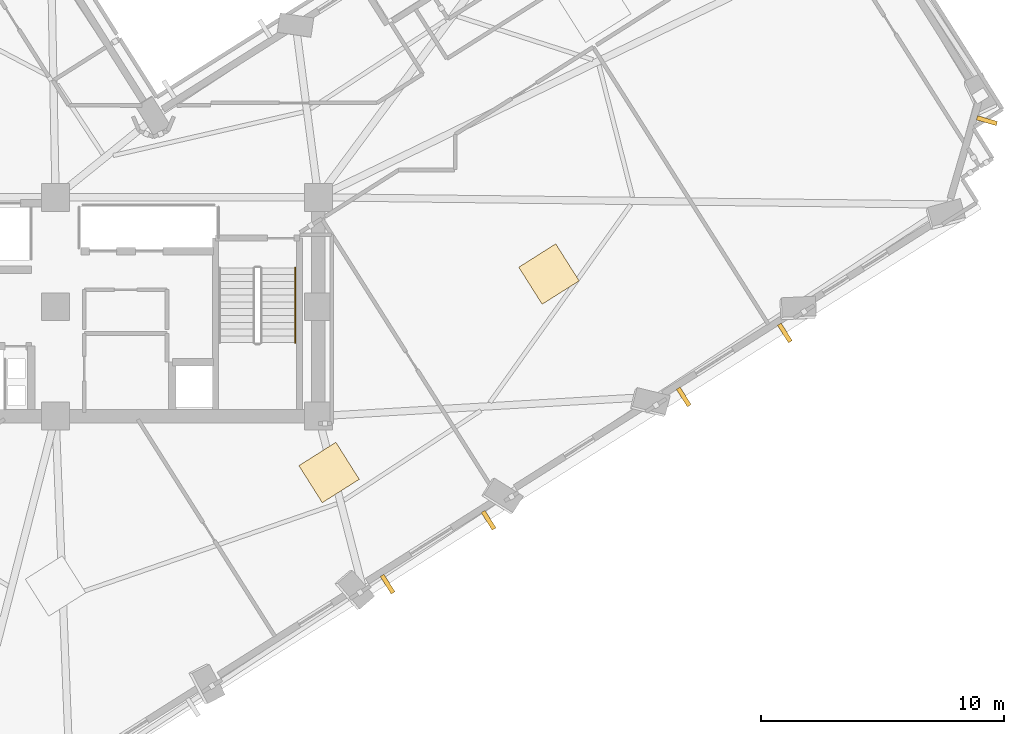
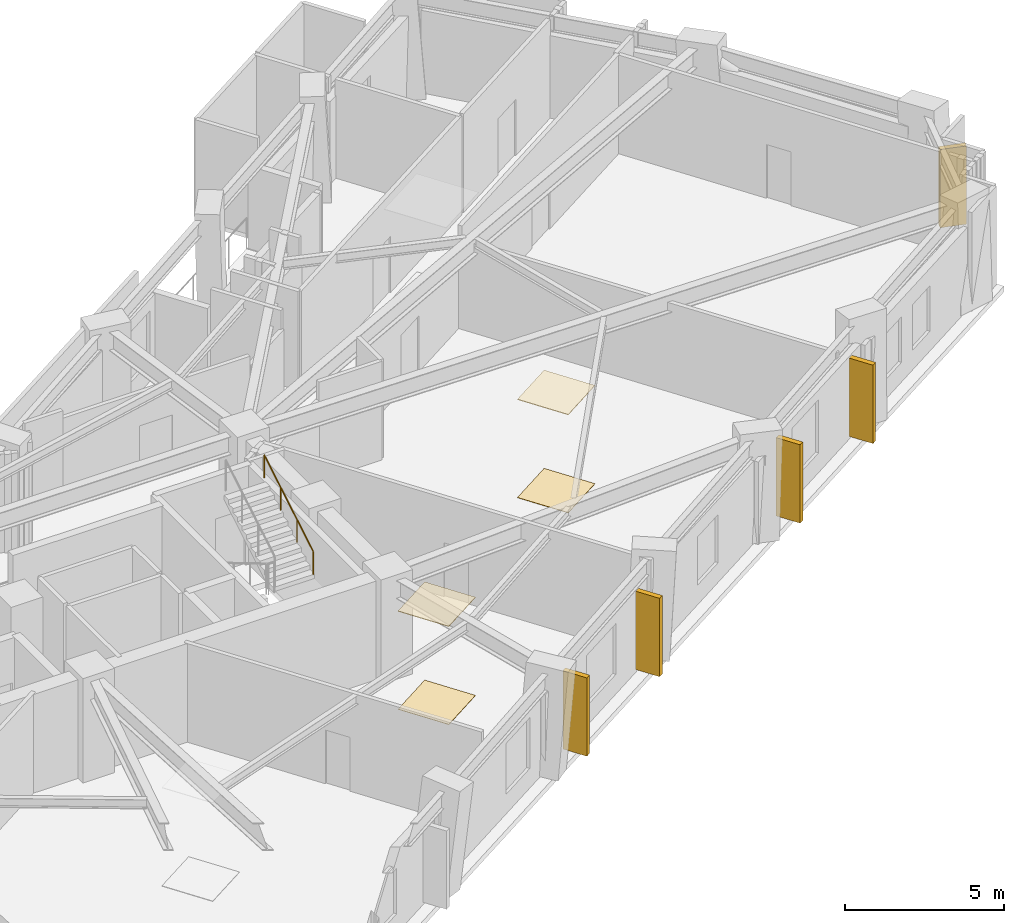
# One storey, part 12 of 14: 5 shading devices, 4 coverings, 1 railing.
"""IFC4 building model written with IfcOpenShell, lengths in metres."""

from ifc_helpers import new_model, si_unit, direction, frame, origin, origin_2d, place, context, subcontext, project, spatial, rectangle, circle, extrude, material, layer, layer_set, type_object, element, save


model = new_model("IFC4")

# Units and contexts
model_context = context("Model", 3, precision=1e-05, world=origin(), true_north=direction((0.0, 1.0)))
body_context = subcontext(model_context, "Body", "Model", "MODEL_VIEW")
ifc_project = project(units=[si_unit("LENGTHUNIT", "METRE"), si_unit("AREAUNIT", "SQUARE_METRE"), si_unit("VOLUMEUNIT", "CUBIC_METRE"), si_unit("PLANEANGLEUNIT", "RADIAN"), si_unit("MASSUNIT", "GRAM", prefix="KILO")], contexts=[model_context])

# Site, building, storey
site_placement = place(None, origin())
site = spatial("IfcSite", under=ifc_project, at=site_placement, CompositionType="ELEMENT")
building_placement = place(site_placement, origin())
building = spatial("IfcBuilding", under=site, at=building_placement, Name="Gaonmaruhae Medical Tower", CompositionType="ELEMENT")
storey_placement = place(building_placement, frame((0.0, 0.0, 161.800048828125)))
storey = spatial("IfcBuildingStorey", under=building, at=storey_placement, Name="L38", CompositionType="ELEMENT", Elevation=161.800048828125)

# Coverings
ifc_material_1 = material(Name="Acoustic mineral ceiling tile", Category="finish")
ifc_layer_1 = layer(ifc_material_1, 0.02490234375)
ifc_layer_set_1 = layer_set([ifc_layer_1], Name="Acoustic mineral ceiling tile")
covering_type_1 = type_object("IfcCoveringType", Name="CLG-01 Antimicrobial Acoustic Mineral Ceiling", PredefinedType="CEILING", material=ifc_layer_set_1)
for number, where, z_axis, x_axis, name in (
    (1, (36.04345703125, 5.486083984375, 3.7548828125), (0.0, 0.0, 1.0), (0.845261833222, 0.53435234939, 0.0), "L38 Clinical Room Acoustic Ceiling 3"),
    (2, (45.082763671875, 13.64453125, 3.7548828125), (0.0, 0.0, 1.0), (0.845261833222, 0.53435234939, 0.0), "L38 Clinical Room Acoustic Ceiling 4"),
):
    element("IfcCovering", number, at=place(storey_placement, frame(where, z_axis=z_axis, x_axis=x_axis)), inside=storey, type_object=covering_type_1, Name=name, PredefinedType="CEILING", context=body_context, shape_type="SweptSolid", body=[
        extrude(rectangle(XDim=1.800048828125, YDim=1.800048828125, at=origin_2d()), origin(), (0.0, 0.0, 1.0), 0.02490234375),
    ])
ifc_material_2 = material(Name="Seamless clinical vinyl flooring", Category="finish")
ifc_layer_2 = layer(ifc_material_2, 0.014892578125)
ifc_layer_set_2 = layer_set([ifc_layer_2], Name="Seamless clinical vinyl flooring")
covering_type_2 = type_object("IfcCoveringType", Name="FLR-01 Seamless Clinical Antistatic Vinyl Flooring", PredefinedType="FLOORING", material=ifc_layer_set_2)
for number, where, z_axis, x_axis, name in (
    (3, (36.04345703125, 5.486083984375, 0.0), (0.0, 0.0, 1.0), (0.845261833222, 0.53435234939, 0.0), "L38 Clinical Room Vinyl Flooring 3"),
    (4, (45.082763671875, 13.64453125, 0.0), (0.0, 0.0, 1.0), (0.845261833222, 0.53435234939, 0.0), "L38 Clinical Room Vinyl Flooring 4"),
):
    element("IfcCovering", number, at=place(storey_placement, frame(where, z_axis=z_axis, x_axis=x_axis)), inside=storey, type_object=covering_type_2, Name=name, PredefinedType="FLOORING", context=body_context, shape_type="SweptSolid", body=[
        extrude(rectangle(XDim=1.800048828125, YDim=1.800048828125, at=origin_2d()), origin(), (0.0, 0.0, 1.0), 0.014892578125),
    ])

# Railing
ifc_material_3 = material(Name="Stainless steel 304 handrail", Category="steel")
railing_type = type_object("IfcRailingType", Name="HR-092 Continuous Stainless Steel Stair Handrail", PredefinedType="HANDRAIL", material=ifc_material_3)
railing_placement = place(storey_placement, frame((34.64990234375, 10.820068359375, 2.16650390625)))
element("IfcRailing", 5, at=railing_placement, inside=storey, type_object=railing_type, Name="L38 ST-02 stair handrail 2", PredefinedType="HANDRAIL", context=body_context, shape_type="SweptSolid", body=[
    extrude(circle(Radius=0.02392578125, at=origin_2d()), frame((0.0, 0.0, 0.8759765625), z_axis=(0.0, 0.859260807169, 0.511537745687), x_axis=(-1.0, 0.0, 0.0)), (0.0, 0.0, 1.0), 3.584228515625),
    extrude(circle(Radius=0.02099609375, at=origin_2d()), origin(), (0.0, 0.0, 1.0), 0.851806640625),
    extrude(circle(Radius=0.02099609375, at=origin_2d()), frame((0.0, 1.026611328125, 0.611083984375)), (0.0, 0.0, 1.0), 0.851806640625),
    extrude(circle(Radius=0.02099609375, at=origin_2d()), frame((0.0, 2.05322265625, 1.222412109375)), (0.0, 0.0, 1.0), 0.851806640625),
    extrude(circle(Radius=0.02099609375, at=origin_2d()), frame((0.0, 3.079833984375, 1.83349609375)), (0.0, 0.0, 1.0), 0.851806640625),
])

# Shading devices
ifc_material_4 = material(Name="Pigmented coral precast concrete C45/55", Category="concrete")
shading_device_type = type_object("IfcShadingDeviceType", Name="SD-FIN1 Tower Vertical Coral Precast Shading Fin", PredefinedType="USERDEFINED", material=ifc_material_4)
for number, where, z_axis, x_axis, name in (
    (6, (42.601318359375, 3.5224609375, 0.08251953125), (0.0, 0.0, 1.0), (-0.845261833222, -0.53435234939, 0.0), "L38 Vertical Coral Precast Shading Fin S03"),
    (7, (38.447509765625, 0.896484375, 0.08251953125), (0.0, 0.0, 1.0), (-0.845261833222, -0.53435234939, 0.0), "L38 Vertical Coral Precast Shading Fin S03B"),
    (8, (54.7802734375, 11.2216796875, 0.08251953125), (0.0, 0.0, 1.0), (-0.845261833222, -0.53435234939, 0.0), "L38 Vertical Coral Precast Shading Fin S05"),
    (9, (50.623046875, 8.593505859375, 0.08251953125), (0.0, 0.0, 1.0), (-0.845261833222, -0.53435234939, 0.0), "L38 Vertical Coral Precast Shading Fin S05B"),
    (10, (63.088134765625, 19.949951171875, 0.08251953125), (0.0, 0.0, 1.0), (-0.279862525922, -0.960040085926, 0.0), "L38 Vertical Coral Precast Shading Fin S07"),
):
    element("IfcShadingDevice", number, at=place(storey_placement, frame(where, z_axis=z_axis, x_axis=x_axis)), inside=storey, type_object=shading_device_type, Name=name, ObjectType="FIN", PredefinedType="USERDEFINED", context=body_context, shape_type="SweptSolid", body=[
        extrude(rectangle(XDim=0.179931640625, YDim=0.85009765625, at=origin_2d()), origin(), (0.0, 0.0, 1.0), 3.0),
    ])

save(model, "model.ifc")
